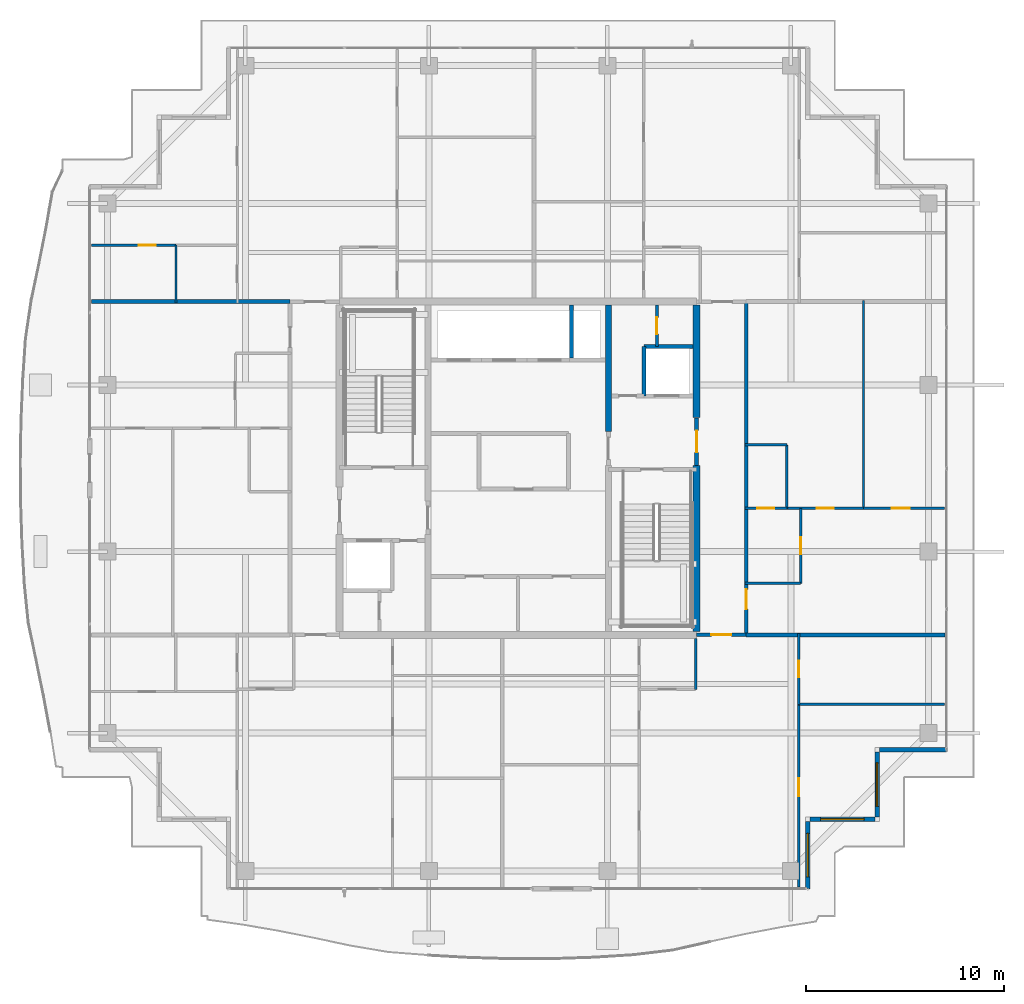
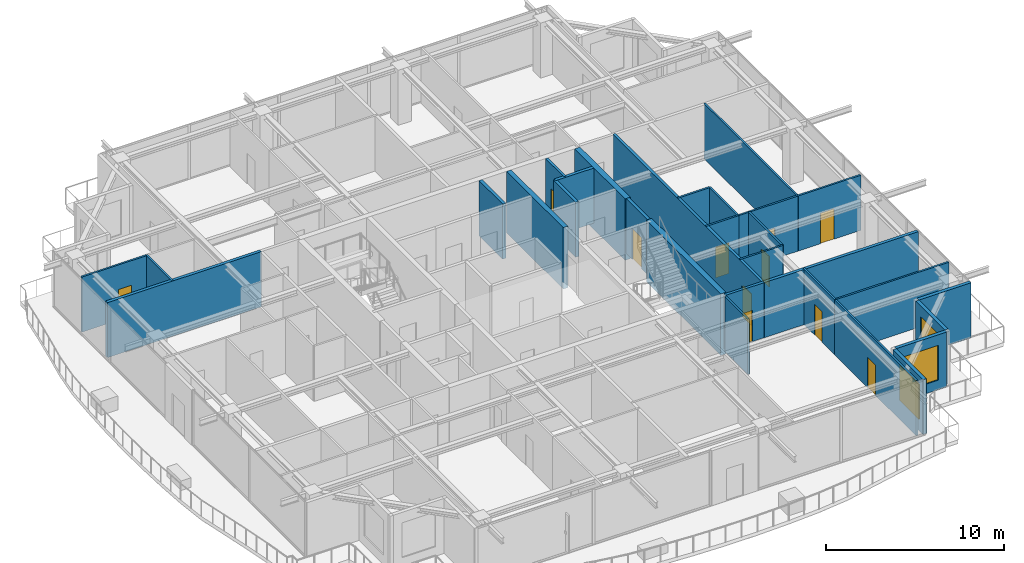
# One storey, part 27 of 36: 30 walls, 11 doors, 3 windows, 14 openings.
"""IFC4 building model written with IfcOpenShell, lengths in metres."""

from ifc_helpers import new_model, si_unit, direction, frame, frame_2d, origin, place, context, subcontext, project, spatial, rectangle, extrude, source, transform, mapped, material, layer, layer_set, type_object, element, fill, save


model = new_model("IFC4")

# Units and contexts
model_context = context("Model", 3, precision=1e-05, world=origin(), true_north=direction((0.0, 1.0)))
body_context = subcontext(model_context, "Body", "Model", "MODEL_VIEW")
ifc_project = project(units=[si_unit("LENGTHUNIT", "METRE"), si_unit("AREAUNIT", "SQUARE_METRE"), si_unit("VOLUMEUNIT", "CUBIC_METRE"), si_unit("PLANEANGLEUNIT", "RADIAN"), si_unit("MASSUNIT", "GRAM", prefix="KILO")], contexts=[model_context])

# Site, building, storey
site_placement = place(None, origin())
site = spatial("IfcSite", under=ifc_project, at=site_placement, CompositionType="ELEMENT")
building_placement = place(site_placement, origin())
building = spatial("IfcBuilding", under=site, at=building_placement, Name="Serunith Strait Residences", CompositionType="ELEMENT")
storey_placement = place(building_placement, frame((0.0, 0.0, 338.0)))
storey = spatial("IfcBuildingStorey", under=building, at=storey_placement, Name="L84", CompositionType="ELEMENT", Elevation=338.0)

# Wall, opening, window
ifc_material_1 = material(Name="Pale-Champagne Aluminium Insulated Panel", Category="aluminium")
ifc_layer_1 = layer(ifc_material_1, 0.219970703125, Name="Pale-Champagne Aluminium Insulated Panel")
ifc_layer_set_1 = layer_set([ifc_layer_1], Name="Pale-Champagne Aluminium Insulated Panel")
wall_type_1 = type_object("IfcWallType", Name="EW-ALUM-220", PredefinedType="ELEMENTEDWALL", material=ifc_layer_set_1)
wall_1_placement = place(storey_placement, frame((47.0, 4.0, 0.0), z_axis=(0.0, 0.0, 1.0), x_axis=(0.0, 1.0, 0.0)))
wall_1 = element("IfcWall", 1, at=wall_1_placement, inside=storey, type_object=wall_type_1, Name="L84 Girih Serrated Corner Wall 02", PredefinedType="ELEMENTEDWALL", context=body_context, shape_type="SweptSolid", body=[
    extrude(rectangle(XDim=3.389892578125, YDim=0.219970703125, at=frame_2d((1.69482421875, 0.0))), origin(), (0.0, 0.0, 1.0), 3.77490234375),
])
opening_1_placement = place(wall_1_placement, frame((0.594970703125, 0.0, 0.64990234375)))
opening_1 = element("IfcOpeningElement", 2, at=opening_1_placement, cuts=wall_1, Name="Opening W-06", PredefinedType="OPENING", context=body_context, shape_type="SweptSolid", body=[
    extrude(rectangle(XDim=2.199951171875, YDim=2.39990234375, at=frame_2d((1.10009765625, 1.199951171875))), frame((0.0, 0.1201171875, 0.0), z_axis=(0.0, -1.0, 0.0), x_axis=(1.0, 0.0, 0.0)), (0.0, 0.0, 1.0), 0.239990234375),
])
ifc_material_2 = material(Name="Crown Penthouse Low-E Operable Window Glass", Category="glass")
window_type = type_object("IfcWindowType", Name="WIN-C6", PartitioningType="TRIPLE_PANEL_VERTICAL", PredefinedType="WINDOW", material=ifc_material_2)
shared_shape_1 = source(origin(), body_context, "Body", "SweptSolid", [
    extrude(rectangle(XDim=2.199951171875, YDim=2.39990234375, at=frame_2d((1.10009765625, 1.199951171875))), frame((0.0, 0.030029296875, 0.0), z_axis=(0.0, -1.0, 0.0), x_axis=(1.0, 0.0, 0.0)), (0.0, 0.0, 1.0), 0.06005859375),
])
window_1_placement = place(opening_1_placement, origin())
window_1 = element("IfcWindow", 3, at=window_1_placement, inside=storey, type_object=window_type, Name="L84 Corner Operable Fritted Window 02", OverallHeight=2.39990234375, OverallWidth=2.199951171875, PartitioningType="SINGLE_PANEL", PredefinedType="WINDOW", context=body_context, shape_type="MappedRepresentation", body=[
    mapped(shared_shape_1, transform((0.0, 0.0, 0.0), scale=1.0)),
])
fill(opening_1, window_1)

wall_2_placement = place(storey_placement, frame((47.110107421875, 7.5, 0.0), z_axis=(0.0, 0.0, 1.0), x_axis=(1.0, 0.0, 0.0)))
wall_2 = element("IfcWall", 4, at=wall_2_placement, inside=storey, type_object=wall_type_1, Name="L84 Girih Serrated Corner Wall 03", PredefinedType="ELEMENTEDWALL", context=body_context, shape_type="SweptSolid", body=[
    extrude(rectangle(XDim=3.27978515625, YDim=0.219970703125, at=frame_2d((1.639892578125, 0.0))), origin(), (0.0, 0.0, 1.0), 3.77490234375),
])
opening_2_placement = place(wall_2_placement, frame((0.5400390625, 0.0, 0.64990234375)))
opening_2 = element("IfcOpeningElement", 5, at=opening_2_placement, cuts=wall_2, Name="Opening W-06", PredefinedType="OPENING", context=body_context, shape_type="SweptSolid", body=[
    extrude(rectangle(XDim=2.199951171875, YDim=2.39990234375, at=frame_2d((1.10009765625, 1.199951171875))), frame((0.0, 0.1201171875, 0.0), z_axis=(0.0, -1.0, 0.0), x_axis=(1.0, 0.0, 0.0)), (0.0, 0.0, 1.0), 0.239990234375),
])
window_2_placement = place(opening_2_placement, origin())
window_2 = element("IfcWindow", 6, at=window_2_placement, inside=storey, type_object=window_type, Name="L84 Corner Operable Fritted Window 03", OverallHeight=2.39990234375, OverallWidth=2.199951171875, PartitioningType="SINGLE_PANEL", PredefinedType="WINDOW", context=body_context, shape_type="MappedRepresentation", body=[
    mapped(shared_shape_1, transform((0.0, 0.0, 0.0), scale=1.0)),
])
fill(opening_2, window_2)

wall_3_placement = place(storey_placement, frame((50.5, 7.610107421875, 0.0), z_axis=(0.0, 0.0, 1.0), x_axis=(0.0, 1.0, 0.0)))
wall_3 = element("IfcWall", 7, at=wall_3_placement, inside=storey, type_object=wall_type_1, Name="L84 Girih Serrated Corner Wall 04", PredefinedType="ELEMENTEDWALL", context=body_context, shape_type="SweptSolid", body=[
    extrude(rectangle(XDim=3.27978515625, YDim=0.219970703125, at=frame_2d((1.639892578125, 0.0))), origin(), (0.0, 0.0, 1.0), 3.77490234375),
])
opening_3_placement = place(wall_3_placement, frame((0.5400390625, 0.0, 0.64990234375)))
opening_3 = element("IfcOpeningElement", 8, at=opening_3_placement, cuts=wall_3, Name="Opening W-06", PredefinedType="OPENING", context=body_context, shape_type="SweptSolid", body=[
    extrude(rectangle(XDim=2.199951171875, YDim=2.39990234375, at=frame_2d((1.10009765625, 1.199951171875))), frame((0.0, 0.1201171875, 0.0), z_axis=(0.0, -1.0, 0.0), x_axis=(1.0, 0.0, 0.0)), (0.0, 0.0, 1.0), 0.239990234375),
])
window_3_placement = place(opening_3_placement, origin())
window_3 = element("IfcWindow", 9, at=window_3_placement, inside=storey, type_object=window_type, Name="L84 Corner Operable Fritted Window 04", OverallHeight=2.39990234375, OverallWidth=2.199951171875, PartitioningType="SINGLE_PANEL", PredefinedType="WINDOW", context=body_context, shape_type="MappedRepresentation", body=[
    mapped(shared_shape_1, transform((0.0, 0.0, 0.0), scale=1.0)),
])
fill(opening_3, window_3)

# Wall
wall_4_placement = place(storey_placement, frame((50.610107421875, 11.0, 0.0), z_axis=(0.0, 0.0, 1.0), x_axis=(1.0, 0.0, 0.0)))
element("IfcWall", 10, at=wall_4_placement, inside=storey, type_object=wall_type_1, Name="L84 Girih Serrated Corner Wall 05", PredefinedType="ELEMENTEDWALL", context=body_context, shape_type="SweptSolid", body=[
    extrude(rectangle(XDim=3.389892578125, YDim=0.219970703125, at=frame_2d((1.69482421875, 0.0))), origin(), (0.0, 0.0, 1.0), 3.77490234375),
])

# Wall, opening, door
ifc_material_3 = material(Name="Fire-rated masonry service closet wall", Category="masonry")
ifc_layer_2 = layer(ifc_material_3, 0.14990234375, Name="Fire-rated masonry service closet wall")
ifc_layer_set_2 = layer_set([ifc_layer_2], Name="Fire-rated masonry service closet wall")
wall_type_2 = type_object("IfcWallType", Name="IW-BOH-150", PredefinedType="PARTITIONING", material=ifc_layer_set_2)
wall_5_placement = place(storey_placement, frame((39.39990234375, 31.35009765625, 0.0), z_axis=(0.0, 0.0, 1.0), x_axis=(0.0, 1.0, 0.0)))
wall_5 = element("IfcWall", 11, at=wall_5_placement, inside=storey, type_object=wall_type_2, Name="L84 Partition Wall 012", PredefinedType="PARTITIONING", context=body_context, shape_type="SweptSolid", body=[
    extrude(rectangle(XDim=2.074951171875, YDim=0.14990234375, at=frame_2d((1.03759765625, 0.0))), origin(), (0.0, 0.0, 1.0), 3.7900390625),
])
opening_4_placement = place(wall_5_placement, frame((0.612060546875, 0.0, 0.0)))
opening_4 = element("IfcOpeningElement", 12, at=opening_4_placement, cuts=wall_5, Name="Opening FD-850", PredefinedType="OPENING", context=body_context, shape_type="SweptSolid", body=[
    extrude(rectangle(XDim=0.85009765625, YDim=2.10009765625, at=frame_2d((0.425048828125, 1.050048828125))), frame((0.0, 0.0849609375, 0.0), z_axis=(0.0, -1.0, 0.0), x_axis=(1.0, 0.0, 0.0)), (0.0, 0.0, 1.0), 0.169921875),
])
ifc_material_4 = material(Name="Powder-coated steel service closet door", Category="steel")
door_type_1 = type_object("IfcDoorType", Name="FD-BOH-850", OperationType="NOTDEFINED", PredefinedType="DOOR", material=ifc_material_4)
shared_shape_2 = source(origin(), body_context, "Body", "SweptSolid", [
    extrude(rectangle(XDim=0.85009765625, YDim=2.10009765625, at=frame_2d((0.425048828125, 1.050048828125))), frame((0.0, 0.02490234375, 0.0), z_axis=(0.0, -1.0, 0.0), x_axis=(1.0, 0.0, 0.0)), (0.0, 0.0, 1.0), 0.050048828125),
])
door_1_placement = place(opening_4_placement, origin())
door_1 = element("IfcDoor", 13, at=door_1_placement, inside=storey, type_object=door_type_1, Name="L84 Janitor Store Door", OperationType="SINGLE_SWING_LEFT", OverallHeight=2.10009765625, OverallWidth=0.85009765625, PredefinedType="DOOR", context=body_context, shape_type="MappedRepresentation", body=[
    mapped(shared_shape_2, transform((0.0, 0.0, 0.0), scale=1.0)),
])
fill(opening_4, door_1)

ifc_material_5 = material(Name="Fire-rated acoustic gypsum partition")
ifc_layer_3 = layer(ifc_material_5, 0.179931640625, Name="Fire-rated acoustic gypsum partition")
ifc_layer_set_3 = layer_set([ifc_layer_3], Name="Fire-rated acoustic gypsum partition")
wall_type_3 = type_object("IfcWallType", Name="IW-CORR-180", PredefinedType="PARTITIONING", material=ifc_layer_set_3)
wall_6_placement = place(storey_placement, frame((41.402099609375, 16.800048828125, 0.0), z_axis=(0.0, 0.0, 1.0), x_axis=(1.0, 0.0, 0.0)))
wall_6 = element("IfcWall", 14, at=wall_6_placement, inside=storey, type_object=wall_type_3, Name="L84 Partition Wall 029", PredefinedType="PARTITIONING", context=body_context, shape_type="SweptSolid", body=[
    extrude(rectangle(XDim=2.495849609375, YDim=0.179931640625, at=frame_2d((1.248046875, 0.0))), origin(), (0.0, 0.0, 1.0), 3.7900390625),
])
opening_5_placement = place(wall_6_placement, frame((0.748046875, 0.0, 0.0)))
opening_5 = element("IfcOpeningElement", 15, at=opening_5_placement, cuts=wall_6, Name="Opening D-APT1000", PredefinedType="OPENING", context=body_context, shape_type="SweptSolid", body=[
    extrude(rectangle(XDim=1.0, YDim=2.14990234375, at=frame_2d((0.5, 1.074951171875))), frame((0.0, 0.10009765625, 0.0), z_axis=(0.0, -1.0, 0.0), x_axis=(1.0, 0.0, 0.0)), (0.0, 0.0, 1.0), 0.199951171875),
])
ifc_material_6 = material(Name="Solid timber engineered fire door", Category="wood")
door_type_2 = type_object("IfcDoorType", Name="ID-APT-1000", OperationType="NOTDEFINED", PredefinedType="DOOR", material=ifc_material_6)
shared_shape_3 = source(origin(), body_context, "Body", "SweptSolid", [
    extrude(rectangle(XDim=1.0, YDim=2.14990234375, at=frame_2d((0.5, 1.074951171875))), frame((0.0, 0.02490234375, 0.0), z_axis=(0.0, -1.0, 0.0), x_axis=(1.0, 0.0, 0.0)), (0.0, 0.0, 1.0), 0.050048828125),
])
door_2_placement = place(opening_5_placement, origin())
door_2 = element("IfcDoor", 16, at=door_2_placement, inside=storey, type_object=door_type_2, Name="L84 Unit 02 Entrance Door", OperationType="SINGLE_SWING_RIGHT", OverallHeight=2.14990234375, OverallWidth=1.0, PredefinedType="DOOR", context=body_context, shape_type="MappedRepresentation", body=[
    mapped(shared_shape_3, transform((0.0, 0.0, 0.0), scale=1.0)),
])
fill(opening_5, door_2)

wall_7_placement = place(storey_placement, frame((43.89990234375, 16.800048828125, 0.0), z_axis=(0.0, 0.0, 1.0), x_axis=(0.0, 1.0, 0.0)))
wall_7 = element("IfcWall", 17, at=wall_7_placement, inside=storey, type_object=wall_type_3, Name="L84 Partition Wall 031", PredefinedType="PARTITIONING", context=body_context, shape_type="SweptSolid", body=[
    extrude(rectangle(XDim=16.800048828125, YDim=0.179931640625, at=frame_2d((8.39990234375, 0.0))), origin(), (0.0, 0.0, 1.0), 3.7900390625),
])
opening_6_placement = place(wall_7_placement, frame((1.300048828125, 0.0, 0.0)))
opening_6 = element("IfcOpeningElement", 18, at=opening_6_placement, cuts=wall_7, Name="Opening D-APT1000", PredefinedType="OPENING", context=body_context, shape_type="SweptSolid", body=[
    extrude(rectangle(XDim=1.0, YDim=2.14990234375, at=frame_2d((0.5, 1.074951171875))), frame((0.0, 0.10009765625, 0.0), z_axis=(0.0, -1.0, 0.0), x_axis=(1.0, 0.0, 0.0)), (0.0, 0.0, 1.0), 0.199951171875),
])
door_3_placement = place(opening_6_placement, origin())
door_3 = element("IfcDoor", 19, at=door_3_placement, inside=storey, type_object=door_type_2, Name="L84 Unit 06 Entrance Door", OperationType="SINGLE_SWING_RIGHT", OverallHeight=2.14990234375, OverallWidth=1.0, PredefinedType="DOOR", context=body_context, shape_type="MappedRepresentation", body=[
    mapped(shared_shape_3, transform((0.0, 0.0, 0.0), scale=1.0)),
])
fill(opening_6, door_3)

# Wall
ifc_material_7 = material(Name="Lightweight steel-stud gypsum partition", Category="steel")
ifc_layer_4 = layer(ifc_material_7, 0.1201171875, Name="Lightweight steel-stud gypsum partition")
ifc_layer_set_4 = layer_set([ifc_layer_4], Name="Lightweight steel-stud gypsum partition")
wall_type_4 = type_object("IfcWallType", Name="IW-PART-120", PredefinedType="PARTITIONING", material=ifc_layer_set_4)
wall_8_placement = place(storey_placement, frame((41.35009765625, 14.050048828125, 0.0), z_axis=(0.0, 0.0, 1.0), x_axis=(0.0, 1.0, 0.0)))
element("IfcWall", 20, at=wall_8_placement, inside=storey, type_object=wall_type_4, Name="L84 Partition Wall 045", PredefinedType="PARTITIONING", context=body_context, shape_type="SweptSolid", body=[
    extrude(rectangle(XDim=2.574951171875, YDim=0.1201171875, at=frame_2d((1.28759765625, 0.0))), origin(), (0.0, 0.0, 1.0), 3.7900390625),
])

# Wall, opening, door
wall_9_placement = place(storey_placement, frame((46.550048828125, 4.094970703125, 0.0), z_axis=(0.0, 0.0, 1.0), x_axis=(0.0, 1.0, 0.0)))
wall_9 = element("IfcWall", 21, at=wall_9_placement, inside=storey, type_object=wall_type_4, Name="L84 Partition Wall 051", PredefinedType="PARTITIONING", context=body_context, shape_type="SweptSolid", body=[
    extrude(rectangle(XDim=9.205078125, YDim=0.1201171875, at=frame_2d((4.6025390625, 0.0))), origin(), (0.0, 0.0, 1.0), 3.7900390625),
])
opening_7_placement = place(wall_9_placement, frame((4.568115234375, 0.0, 0.0)))
opening_7 = element("IfcOpeningElement", 22, at=opening_7_placement, cuts=wall_9, Name="Opening D-RM900", PredefinedType="OPENING", context=body_context, shape_type="SweptSolid", body=[
    extrude(rectangle(XDim=0.89990234375, YDim=2.10009765625, at=frame_2d((0.449951171875, 1.050048828125))), frame((0.0, 0.070068359375, 0.0), z_axis=(0.0, -1.0, 0.0), x_axis=(1.0, 0.0, 0.0)), (0.0, 0.0, 1.0), 0.14013671875),
])
ifc_material_8 = material(Name="Engineered timber flush bedroom door", Category="wood")
door_type_3 = type_object("IfcDoorType", Name="ID-ROOM-900", OperationType="NOTDEFINED", PredefinedType="DOOR", material=ifc_material_8)
shared_shape_4 = source(origin(), body_context, "Body", "SweptSolid", [
    extrude(rectangle(XDim=0.89990234375, YDim=2.10009765625, at=frame_2d((0.449951171875, 1.050048828125))), frame((0.0, 0.02490234375, 0.0), z_axis=(0.0, -1.0, 0.0), x_axis=(1.0, 0.0, 0.0)), (0.0, 0.0, 1.0), 0.050048828125),
])
door_4_placement = place(opening_7_placement, origin())
door_4 = element("IfcDoor", 23, at=door_4_placement, inside=storey, type_object=door_type_3, Name="L84 Bedroom 2 8402 Door", OperationType="SINGLE_SWING_RIGHT", OverallHeight=2.10009765625, OverallWidth=0.89990234375, PredefinedType="DOOR", context=body_context, shape_type="MappedRepresentation", body=[
    mapped(shared_shape_4, transform((0.0, 0.0, 0.0), scale=1.0)),
])
fill(opening_7, door_4)

# Wall
wall_10_placement = place(storey_placement, frame((46.550048828125, 13.300048828125, 0.0), z_axis=(0.0, 0.0, 1.0), x_axis=(1.0, 0.0, 0.0)))
element("IfcWall", 24, at=wall_10_placement, inside=storey, type_object=wall_type_4, Name="L84 Partition Wall 052", PredefinedType="PARTITIONING", context=body_context, shape_type="SweptSolid", body=[
    extrude(rectangle(XDim=7.35498046875, YDim=0.1201171875, at=frame_2d((3.677490234375, 0.0))), origin(), (0.0, 0.0, 1.0), 3.7900390625),
])

# Wall, opening, door
wall_11_placement = place(storey_placement, frame((46.550048828125, 13.302001953125, 0.0), z_axis=(0.0, 0.0, 1.0), x_axis=(0.0, 1.0, 0.0)))
wall_11 = element("IfcWall", 25, at=wall_11_placement, inside=storey, type_object=wall_type_4, Name="L84 Partition Wall 053", PredefinedType="PARTITIONING", context=body_context, shape_type="SweptSolid", body=[
    extrude(rectangle(XDim=3.55810546875, YDim=0.1201171875, at=frame_2d((1.779052734375, 0.0))), origin(), (0.0, 0.0, 1.0), 3.7900390625),
])
opening_8_placement = place(wall_11_placement, frame((1.35400390625, 0.0, 0.0)))
opening_8 = element("IfcOpeningElement", 26, at=opening_8_placement, cuts=wall_11, Name="Opening D-RM850", PredefinedType="OPENING", context=body_context, shape_type="SweptSolid", body=[
    extrude(rectangle(XDim=0.85009765625, YDim=2.10009765625, at=frame_2d((0.425048828125, 1.050048828125))), frame((0.0, 0.070068359375, 0.0), z_axis=(0.0, -1.0, 0.0), x_axis=(1.0, 0.0, 0.0)), (0.0, 0.0, 1.0), 0.14013671875),
])
ifc_material_9 = material(Name="Engineered timber flush study and kitchen door", Category="wood")
door_type_4 = type_object("IfcDoorType", Name="ID-ROOM-850", OperationType="NOTDEFINED", PredefinedType="DOOR", material=ifc_material_9)
door_5_placement = place(opening_8_placement, origin())
door_5 = element("IfcDoor", 27, at=door_5_placement, inside=storey, type_object=door_type_4, Name="L84 Walk-in Wardrobe 8402 Door", OperationType="SINGLE_SWING_LEFT", OverallHeight=2.10009765625, OverallWidth=0.85009765625, PredefinedType="DOOR", context=body_context, shape_type="MappedRepresentation", body=[
    mapped(shared_shape_2, transform((0.0, 0.0, 0.0), scale=1.0)),
])
fill(opening_8, door_5)

wall_12_placement = place(storey_placement, frame((10.89501953125, 36.4560546875, 0.0), z_axis=(0.0, 0.0, 1.0), x_axis=(1.0, 0.0, 0.0)))
wall_12 = element("IfcWall", 28, at=wall_12_placement, inside=storey, type_object=wall_type_4, Name="L84 Partition Wall 057", PredefinedType="PARTITIONING", context=body_context, shape_type="SweptSolid", body=[
    extrude(rectangle(XDim=4.2548828125, YDim=0.1201171875, at=frame_2d((2.12744140625, 0.0))), origin(), (0.0, 0.0, 1.0), 3.7900390625),
])
opening_9_placement = place(wall_12_placement, frame((2.384033203125, 0.0, 0.0)))
opening_9 = element("IfcOpeningElement", 29, at=opening_9_placement, cuts=wall_12, Name="Opening D-RM850", PredefinedType="OPENING", context=body_context, shape_type="SweptSolid", body=[
    extrude(rectangle(XDim=0.85009765625, YDim=2.10009765625, at=frame_2d((0.425048828125, 1.050048828125))), frame((0.0, 0.070068359375, 0.0), z_axis=(0.0, -1.0, 0.0), x_axis=(1.0, 0.0, 0.0)), (0.0, 0.0, 1.0), 0.14013671875),
])
door_6_placement = place(opening_9_placement, origin())
door_6 = element("IfcDoor", 30, at=door_6_placement, inside=storey, type_object=door_type_4, Name="L84 Wardrobe 8403 Door", OperationType="SINGLE_SWING_RIGHT", OverallHeight=2.10009765625, OverallWidth=0.85009765625, PredefinedType="DOOR", context=body_context, shape_type="MappedRepresentation", body=[
    mapped(shared_shape_2, transform((0.0, 0.0, 0.0), scale=1.0)),
])
fill(opening_9, door_6)

# Wall
wall_13_placement = place(storey_placement, frame((15.14990234375, 36.4560546875, 0.0), z_axis=(0.0, 0.0, 1.0), x_axis=(0.0, -1.0, 0.0)))
element("IfcWall", 31, at=wall_13_placement, inside=storey, type_object=wall_type_4, Name="L84 Partition Wall 059", PredefinedType="PARTITIONING", context=body_context, shape_type="SweptSolid", body=[
    extrude(rectangle(XDim=2.916015625, YDim=0.1201171875, at=frame_2d((1.4580078125, 0.0))), origin(), (0.0, 0.0, 1.0), 3.7900390625),
])

# Wall, opening, door
wall_14_placement = place(storey_placement, frame((46.64990234375, 19.39990234375, 0.0), z_axis=(0.0, 0.0, 1.0), x_axis=(0.0, 1.0, 0.0)))
wall_14 = element("IfcWall", 32, at=wall_14_placement, inside=storey, type_object=wall_type_4, Name="L84 Partition Wall 084", PredefinedType="PARTITIONING", context=body_context, shape_type="SweptSolid", body=[
    extrude(rectangle(XDim=3.780029296875, YDim=0.1201171875, at=frame_2d((1.89013671875, 0.0))), origin(), (0.0, 0.0, 1.0), 3.7900390625),
])
opening_10_placement = place(wall_14_placement, frame((1.465087890625, 0.0, 0.0)))
opening_10 = element("IfcOpeningElement", 33, at=opening_10_placement, cuts=wall_14, Name="Opening D-RM850", PredefinedType="OPENING", context=body_context, shape_type="SweptSolid", body=[
    extrude(rectangle(XDim=0.85009765625, YDim=2.10009765625, at=frame_2d((0.425048828125, 1.050048828125))), frame((0.0, 0.070068359375, 0.0), z_axis=(0.0, -1.0, 0.0), x_axis=(1.0, 0.0, 0.0)), (0.0, 0.0, 1.0), 0.14013671875),
])
door_7_placement = place(opening_10_placement, origin())
door_7 = element("IfcDoor", 34, at=door_7_placement, inside=storey, type_object=door_type_4, Name="L84 Kitchen 8406 Door", OperationType="SINGLE_SWING_LEFT", OverallHeight=2.10009765625, OverallWidth=0.85009765625, PredefinedType="DOOR", context=body_context, shape_type="MappedRepresentation", body=[
    mapped(shared_shape_2, transform((0.0, 0.0, 0.0), scale=1.0)),
])
fill(opening_10, door_7)

# Wall
wall_15_placement = place(storey_placement, frame((46.64990234375, 19.39990234375, 0.0), z_axis=(0.0, 0.0, 1.0), x_axis=(-1.0, 0.0, 0.0)))
element("IfcWall", 35, at=wall_15_placement, inside=storey, type_object=wall_type_4, Name="L84 Partition Wall 085", PredefinedType="PARTITIONING", context=body_context, shape_type="SweptSolid", body=[
    extrude(rectangle(XDim=2.809814453125, YDim=0.1201171875, at=frame_2d((1.40478515625, 0.0))), origin(), (0.0, 0.0, 1.0), 3.7900390625),
])

# Wall, opening, door
wall_16_placement = place(storey_placement, frame((53.905029296875, 23.179931640625, 0.0), z_axis=(0.0, 0.0, 1.0), x_axis=(-1.0, 0.0, 0.0)))
wall_16 = element("IfcWall", 36, at=wall_16_placement, inside=storey, type_object=wall_type_4, Name="L84 Partition Wall 086", PredefinedType="PARTITIONING", context=body_context, shape_type="SweptSolid", body=[
    extrude(rectangle(XDim=4.088134765625, YDim=0.1201171875, at=frame_2d((2.0439453125, 0.0))), origin(), (0.0, 0.0, 1.0), 3.7900390625),
])
opening_11_placement = place(wall_16_placement, frame((1.7529296875, 0.0, 0.0)))
opening_11 = element("IfcOpeningElement", 37, at=opening_11_placement, cuts=wall_16, Name="Opening D-RM900", PredefinedType="OPENING", context=body_context, shape_type="SweptSolid", body=[
    extrude(rectangle(XDim=0.89990234375, YDim=2.10009765625, at=frame_2d((0.449951171875, 1.050048828125))), frame((0.0, 0.070068359375, 0.0), z_axis=(0.0, -1.0, 0.0), x_axis=(1.0, 0.0, 0.0)), (0.0, 0.0, 1.0), 0.14013671875),
])
door_8_placement = place(opening_11_placement, origin())
door_8 = element("IfcDoor", 38, at=door_8_placement, inside=storey, type_object=door_type_3, Name="L84 Master Bedroom 1 8406 Door", OperationType="SINGLE_SWING_RIGHT", OverallHeight=2.10009765625, OverallWidth=0.89990234375, PredefinedType="DOOR", context=body_context, shape_type="MappedRepresentation", body=[
    mapped(shared_shape_4, transform((0.0, 0.0, 0.0), scale=1.0)),
])
fill(opening_11, door_8)

# Walls
wall_17_placement = place(storey_placement, frame((49.81689453125, 23.179931640625, 0.0), z_axis=(0.0, 0.0, 1.0), x_axis=(0.0, 1.0, 0.0)))
element("IfcWall", 39, at=wall_17_placement, inside=storey, type_object=wall_type_4, Name="L84 Partition Wall 087", PredefinedType="PARTITIONING", context=body_context, shape_type="SweptSolid", body=[
    extrude(rectangle(XDim=10.47998046875, YDim=0.1201171875, at=frame_2d((5.239990234375, 0.0))), origin(), (0.0, 0.0, 1.0), 3.7900390625),
])
wall_18_placement = place(storey_placement, frame((45.949951171875, 23.179931640625, 0.0), z_axis=(0.0, 0.0, 1.0), x_axis=(0.0, 1.0, 0.0)))
element("IfcWall", 40, at=wall_18_placement, inside=storey, type_object=wall_type_4, Name="L84 Partition Wall 088", PredefinedType="PARTITIONING", context=body_context, shape_type="SweptSolid", body=[
    extrude(rectangle(XDim=3.199951171875, YDim=0.1201171875, at=frame_2d((1.60009765625, 0.0))), origin(), (0.0, 0.0, 1.0), 3.7900390625),
])
wall_19_placement = place(storey_placement, frame((45.949951171875, 26.3798828125, 0.0), z_axis=(0.0, 0.0, 1.0), x_axis=(-1.0, 0.0, 0.0)))
element("IfcWall", 41, at=wall_19_placement, inside=storey, type_object=wall_type_4, Name="L84 Partition Wall 089", PredefinedType="PARTITIONING", context=body_context, shape_type="SweptSolid", body=[
    extrude(rectangle(XDim=2.10986328125, YDim=0.1201171875, at=frame_2d((1.054931640625, 0.0))), origin(), (0.0, 0.0, 1.0), 3.7900390625),
])

# Wall, opening, door
wall_20_placement = place(storey_placement, frame((49.81494140625, 23.179931640625, 0.0), z_axis=(0.0, 0.0, 1.0), x_axis=(-1.0, 0.0, 0.0)))
wall_20 = element("IfcWall", 42, at=wall_20_placement, inside=storey, type_object=wall_type_4, Name="L84 Partition Wall 090", PredefinedType="PARTITIONING", context=body_context, shape_type="SweptSolid", body=[
    extrude(rectangle(XDim=3.864990234375, YDim=0.1201171875, at=frame_2d((1.9326171875, 0.0))), origin(), (0.0, 0.0, 1.0), 3.7900390625),
])
opening_12_placement = place(wall_20_placement, frame((1.507080078125, 0.0, 0.0)))
opening_12 = element("IfcOpeningElement", 43, at=opening_12_placement, cuts=wall_20, Name="Opening D-RM850", PredefinedType="OPENING", context=body_context, shape_type="SweptSolid", body=[
    extrude(rectangle(XDim=0.85009765625, YDim=2.10009765625, at=frame_2d((0.425048828125, 1.050048828125))), frame((0.0, 0.070068359375, 0.0), z_axis=(0.0, -1.0, 0.0), x_axis=(1.0, 0.0, 0.0)), (0.0, 0.0, 1.0), 0.14013671875),
])
door_9_placement = place(opening_12_placement, origin())
door_9 = element("IfcDoor", 44, at=door_9_placement, inside=storey, type_object=door_type_4, Name="L84 Walk-in Wardrobe 8406 Door", OperationType="SINGLE_SWING_LEFT", OverallHeight=2.10009765625, OverallWidth=0.85009765625, PredefinedType="DOOR", context=body_context, shape_type="MappedRepresentation", body=[
    mapped(shared_shape_2, transform((0.0, 0.0, 0.0), scale=1.0)),
])
fill(opening_12, door_9)

wall_21_placement = place(storey_placement, frame((45.947998046875, 23.179931640625, 0.0), z_axis=(0.0, 0.0, 1.0), x_axis=(-1.0, 0.0, 0.0)))
wall_21 = element("IfcWall", 45, at=wall_21_placement, inside=storey, type_object=wall_type_4, Name="L84 Partition Wall 091", PredefinedType="PARTITIONING", context=body_context, shape_type="SweptSolid", body=[
    extrude(rectangle(XDim=2.10791015625, YDim=0.1201171875, at=frame_2d((1.053955078125, 0.0))), origin(), (0.0, 0.0, 1.0), 3.7900390625),
])
opening_13_placement = place(wall_21_placement, frame((0.62890625, 0.0, 0.0)))
opening_13 = element("IfcOpeningElement", 46, at=opening_13_placement, cuts=wall_21, Name="Opening D-BTH850", PredefinedType="OPENING", context=body_context, shape_type="SweptSolid", body=[
    extrude(rectangle(XDim=0.85009765625, YDim=2.10009765625, at=frame_2d((0.425048828125, 1.050048828125))), frame((0.0, 0.070068359375, 0.0), z_axis=(0.0, -1.0, 0.0), x_axis=(1.0, 0.0, 0.0)), (0.0, 0.0, 1.0), 0.14013671875),
])
ifc_material_10 = material(Name="Moisture-resistant timber bathroom door", Category="wood")
door_type_5 = type_object("IfcDoorType", Name="ID-BATH-850", OperationType="NOTDEFINED", PredefinedType="DOOR", material=ifc_material_10)
door_10_placement = place(opening_13_placement, origin())
door_10 = element("IfcDoor", 47, at=door_10_placement, inside=storey, type_object=door_type_5, Name="L84 Bathroom 8406 Door", OperationType="SINGLE_SWING_RIGHT", OverallHeight=2.10009765625, OverallWidth=0.85009765625, PredefinedType="DOOR", context=body_context, shape_type="MappedRepresentation", body=[
    mapped(shared_shape_2, transform((0.0, 0.0, 0.0), scale=1.0)),
])
fill(opening_13, door_10)

# Walls
ifc_material_11 = material(Name="Twin-stud acoustic gypsum board partition")
ifc_layer_5 = layer(ifc_material_11, 0.199951171875, Name="Twin-stud acoustic gypsum board partition")
ifc_layer_set_5 = layer_set([ifc_layer_5], Name="Twin-stud acoustic gypsum board partition")
wall_type_5 = type_object("IfcWallType", Name="IW-PARTY-200", PredefinedType="PARTITIONING", material=ifc_layer_set_5)
wall_22_placement = place(storey_placement, frame((43.89990234375, 16.800048828125, 0.0), z_axis=(0.0, 0.0, 1.0), x_axis=(1.0, 0.0, 0.0)))
element("IfcWall", 48, at=wall_22_placement, inside=storey, type_object=wall_type_5, Name="L84 Partition Wall 023", PredefinedType="PARTITIONING", context=body_context, shape_type="SweptSolid", body=[
    extrude(rectangle(XDim=10.01806640625, YDim=0.199951171875, at=frame_2d((5.009033203125, 0.0))), origin(), (0.0, 0.0, 1.0), 3.7900390625),
])
wall_23_placement = place(storey_placement, frame((10.882080078125, 33.60009765625, 0.0), z_axis=(0.0, 0.0, 1.0), x_axis=(1.0, 0.0, 0.0)))
element("IfcWall", 49, at=wall_23_placement, inside=storey, type_object=wall_type_5, Name="L84 Partition Wall 024", PredefinedType="PARTITIONING", context=body_context, shape_type="SweptSolid", body=[
    extrude(rectangle(XDim=10.017822265625, YDim=0.199951171875, at=frame_2d((5.0087890625, 0.0))), origin(), (0.0, 0.0, 1.0), 3.7900390625),
])
ifc_material_12 = material(Name="Autoclaved aerated concrete blockwork", Category="masonry")
ifc_layer_6 = layer(ifc_material_12, 0.199951171875, Name="Autoclaved aerated concrete blockwork")
ifc_layer_set_6 = layer_set([ifc_layer_6], Name="Autoclaved aerated concrete blockwork")
wall_type_6 = type_object("IfcWallType", Name="IW-SHAFT-200", PredefinedType="STANDARD", material=ifc_layer_set_6)
wall_24_placement = place(storey_placement, frame((35.10009765625, 30.75, 0.0), z_axis=(0.0, 0.0, 1.0), x_axis=(0.0, 1.0, 0.0)))
element("IfcWall", 50, at=wall_24_placement, inside=storey, type_object=wall_type_6, Name="L84 SL-1 West Shaft Wall", PredefinedType="STANDARD", context=body_context, shape_type="SweptSolid", body=[
    extrude(rectangle(XDim=2.675048828125, YDim=0.199951171875, at=frame_2d((1.33740234375, 0.0))), origin(), (0.0, 0.0, 1.0), 3.7900390625),
])
wall_25_placement = place(storey_placement, frame((38.75, 28.85009765625, 0.0), z_axis=(0.0, 0.0, 1.0), x_axis=(0.0, 1.0, 0.0)))
element("IfcWall", 51, at=wall_25_placement, inside=storey, type_object=wall_type_6, Name="L84 Partition Wall 004", PredefinedType="STANDARD", context=body_context, shape_type="SweptSolid", body=[
    extrude(rectangle(XDim=2.5, YDim=0.199951171875, at=frame_2d((1.25, 0.0))), origin(), (0.0, 0.0, 1.0), 3.7900390625),
])
wall_26_placement = place(storey_placement, frame((38.75, 31.35009765625, 0.0), z_axis=(0.0, 0.0, 1.0), x_axis=(1.0, 0.0, 0.0)))
element("IfcWall", 52, at=wall_26_placement, inside=storey, type_object=wall_type_6, Name="L84 Partition Wall 005", PredefinedType="STANDARD", context=body_context, shape_type="SweptSolid", body=[
    extrude(rectangle(XDim=2.47509765625, YDim=0.199951171875, at=frame_2d((1.237548828125, 0.0))), origin(), (0.0, 0.0, 1.0), 3.7900390625),
])

# Wall, opening, door
wall_27_placement = place(storey_placement, frame((41.39990234375, 25.35205078125, 0.0), z_axis=(0.0, 0.0, 1.0), x_axis=(0.0, 1.0, 0.0)))
wall_27 = element("IfcWall", 53, at=wall_27_placement, inside=storey, type_object=wall_type_6, Name="L84 Partition Wall 008", PredefinedType="STANDARD", context=body_context, shape_type="SweptSolid", body=[
    extrude(rectangle(XDim=2.39599609375, YDim=0.199951171875, at=frame_2d((1.197998046875, 0.0))), origin(), (0.0, 0.0, 1.0), 3.7900390625),
])
opening_14_placement = place(wall_27_placement, frame((0.64794921875, 0.0, 0.0)))
opening_14 = element("IfcOpeningElement", 54, at=opening_14_placement, cuts=wall_27, Name="Opening FD-FFL", PredefinedType="OPENING", context=body_context, shape_type="SweptSolid", body=[
    extrude(rectangle(XDim=1.10009765625, YDim=2.14990234375, at=frame_2d((0.550048828125, 1.074951171875))), frame((0.0, 0.10986328125, 0.0), z_axis=(0.0, -1.0, 0.0), x_axis=(1.0, 0.0, 0.0)), (0.0, 0.0, 1.0), 0.219970703125),
])
ifc_material_13 = material(Name="Glazed steel smoke-lobby fire door", Category="steel")
door_type_6 = type_object("IfcDoorType", Name="FD-FFL-1100", OperationType="NOTDEFINED", PredefinedType="DOOR", material=ifc_material_13)
shared_shape_5 = source(origin(), body_context, "Body", "SweptSolid", [
    extrude(rectangle(XDim=1.10009765625, YDim=2.14990234375, at=frame_2d((0.550048828125, 1.074951171875))), frame((0.0, 0.02490234375, 0.0), z_axis=(0.0, -1.0, 0.0), x_axis=(1.0, 0.0, 0.0)), (0.0, 0.0, 1.0), 0.050048828125),
])
door_11_placement = place(opening_14_placement, origin())
door_11 = element("IfcDoor", 55, at=door_11_placement, inside=storey, type_object=door_type_6, Name="L84 FFL-2 Corridor Fire Door", OperationType="SINGLE_SWING_LEFT", OverallHeight=2.14990234375, OverallWidth=1.10009765625, PredefinedType="DOOR", context=body_context, shape_type="MappedRepresentation", body=[
    mapped(shared_shape_5, transform((0.0, 0.0, 0.0), scale=1.0)),
])
fill(opening_14, door_11)

# Walls
ifc_material_14 = material(Name="Concrete C60/75", Category="concrete")
ifc_layer_7 = layer(ifc_material_14, 0.300048828125, Name="Concrete C60/75")
ifc_layer_set_7 = layer_set([ifc_layer_7], Name="Concrete C60/75")
wall_type_7 = type_object("IfcWallType", Name="SW-300-C60", PredefinedType="SHEAR", material=ifc_layer_set_7)
wall_28_placement = place(storey_placement, frame((36.949951171875, 27.050048828125, -0.43994140625), z_axis=(0.0, 0.0, 1.0), x_axis=(0.0, 1.0, 0.0)))
element("IfcWall", 56, at=wall_28_placement, inside=storey, type_object=wall_type_7, Name="L84 Core Internal East Web North Pier", PredefinedType="SHEAR", context=body_context, shape_type="SweptSolid", body=[
    extrude(rectangle(XDim=6.375, YDim=0.300048828125, at=frame_2d((3.1875, 0.0))), origin(), (0.0, 0.0, 1.0), 4.22802734375),
])
ifc_layer_8 = layer(ifc_material_14, 0.35009765625, Name="Concrete C60/75")
ifc_layer_set_8 = layer_set([ifc_layer_8], Name="Concrete C60/75")
wall_type_8 = type_object("IfcWallType", Name="SW-350-C60", PredefinedType="SHEAR", material=ifc_layer_set_8)
wall_29_placement = place(storey_placement, frame((41.39990234375, 16.97509765625, -0.43994140625), z_axis=(0.0, 0.0, 1.0), x_axis=(0.0, 1.0, 0.0)))
element("IfcWall", 57, at=wall_29_placement, inside=storey, type_object=wall_type_8, Name="L84 Core East Shear Wall South Pier", PredefinedType="SHEAR", context=body_context, shape_type="SweptSolid", body=[
    extrude(rectangle(XDim=8.375, YDim=0.35009765625, at=frame_2d((4.1875, 0.0))), origin(), (0.0, 0.0, 1.0), 4.22802734375),
])
wall_30_placement = place(storey_placement, frame((41.39990234375, 27.75, -0.43994140625), z_axis=(0.0, 0.0, 1.0), x_axis=(0.0, 1.0, 0.0)))
element("IfcWall", 58, at=wall_30_placement, inside=storey, type_object=wall_type_8, Name="L84 Core East Shear Wall North Pier", PredefinedType="SHEAR", context=body_context, shape_type="SweptSolid", body=[
    extrude(rectangle(XDim=5.675048828125, YDim=0.35009765625, at=frame_2d((2.83740234375, 0.0))), origin(), (0.0, 0.0, 1.0), 4.22802734375),
])

save(model, "model.ifc")
